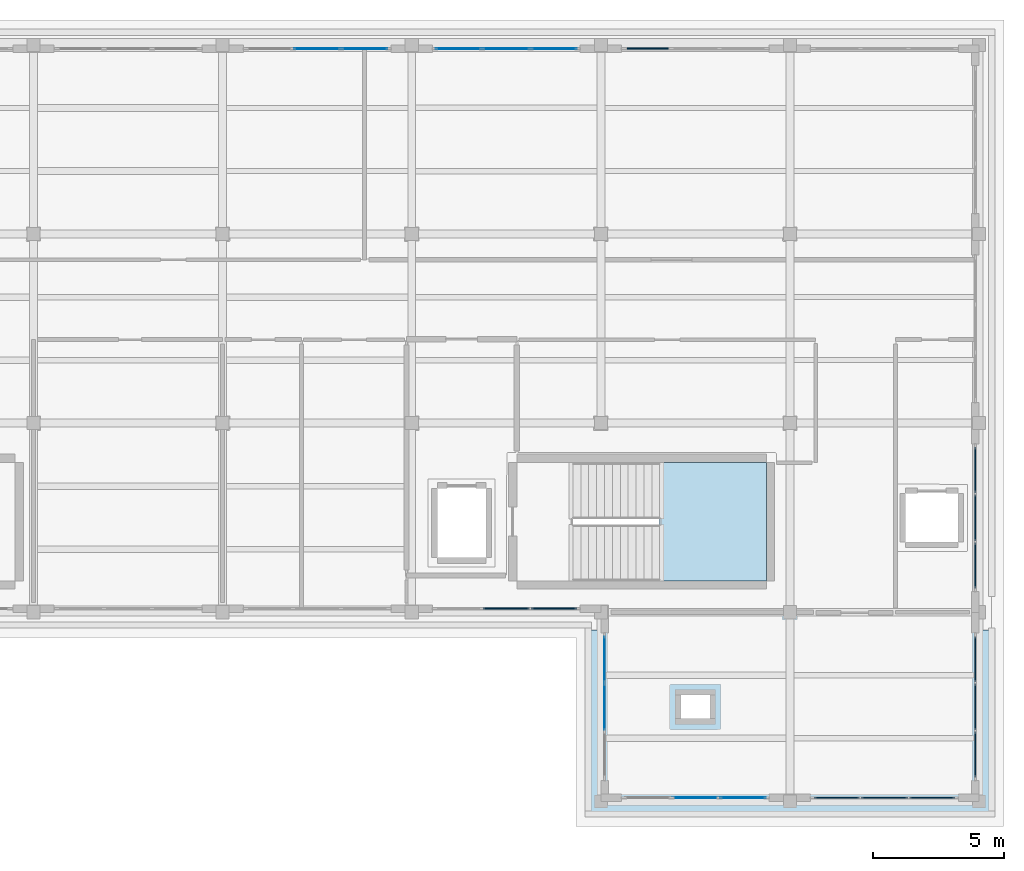
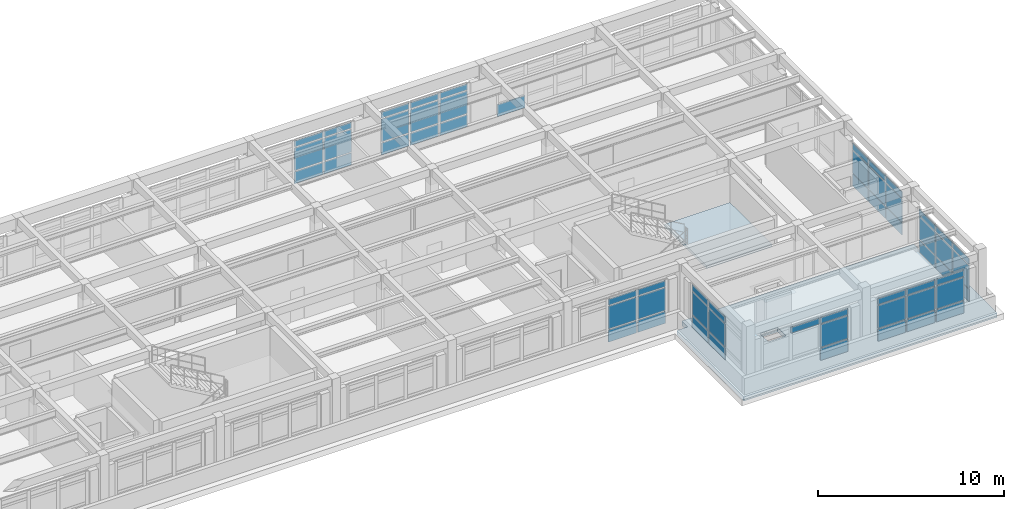
# One storey, part 12 of 18: 59 plates, 2 slabs, 10 elements without a shape of their own.
"""IFC4 building model written with IfcOpenShell, lengths in metres."""

from ifc_helpers import new_model, si_unit, direction, frame, origin, origin_2d, place, context, subcontext, project, spatial, polyline, rectangle, outline, extrude, material, layer, layer_set, type_object, element, aggregate, save


model = new_model("IFC4")

# Units and contexts
model_context = context("Model", 3, precision=1e-05, world=origin(), true_north=direction((0.0, 1.0)))
body_context = subcontext(model_context, "Body", "Model", "MODEL_VIEW")
ifc_project = project(units=[si_unit("LENGTHUNIT", "METRE"), si_unit("AREAUNIT", "SQUARE_METRE"), si_unit("VOLUMEUNIT", "CUBIC_METRE"), si_unit("PLANEANGLEUNIT", "RADIAN"), si_unit("MASSUNIT", "GRAM", prefix="KILO")], contexts=[model_context])

# Site, building, storey
site_placement = place(None, origin())
site = spatial("IfcSite", under=ifc_project, at=site_placement, CompositionType="ELEMENT")
building_placement = place(site_placement, origin())
building = spatial("IfcBuilding", under=site, at=building_placement, Name="Solenvale Faculty of Natural Sciences", CompositionType="ELEMENT")
storey_placement = place(building_placement, frame((0.0, 0.0, 43.800048828125)))
storey = spatial("IfcBuildingStorey", under=building, at=storey_placement, Name="L10", CompositionType="ELEMENT", Elevation=43.800048828125)

# Curtain wall, plates
ifc_material_1 = material(Name="Anodised bronze aluminium", Category="aluminium")
ifc_layer_1 = layer(ifc_material_1, 0.179931640625)
ifc_layer_set_1 = layer_set([ifc_layer_1], Name="Anodised bronze aluminium")
curtain_wall_type = type_object("IfcCurtainWallType", Name="CW-TWR-MOD", PredefinedType="USERDEFINED", material=ifc_layer_set_1)
curtain_wall_1_placement = place(storey_placement, origin())
curtain_wall_1 = element("IfcCurtainWall", 1, at=curtain_wall_1_placement, inside=storey, type_object=curtain_wall_type, Name="L10 Curtain Wall CW-L10-P1-E2-B3", ObjectType="UNITISED CURTAIN WALL", PredefinedType="USERDEFINED")
ifc_material_2 = material(Name="North-light skylight glass", Category="glass")
ifc_layer_2 = layer(ifc_material_2, 0.028076171875)
ifc_layer_set_2 = layer_set([ifc_layer_2], Name="North-light skylight glass")
plate_type_1 = type_object("IfcPlateType", Name="CWP-PNL-28", PredefinedType="CURTAIN_PANEL", material=ifc_layer_set_2)
plate_1_placement = place(storey_placement, frame((135.0146484375, 115.0576171875, 0.074951171875), z_axis=(0.0, 0.0, 1.0), x_axis=(-1.0, 0.0, 0.0)))
plate_1 = element("IfcPlate", 2, at=plate_1_placement, type_object=plate_type_1, Name="CW-04 panel 1.1", PredefinedType="CURTAIN_PANEL", context=body_context, shape_type="SweptSolid", body=[
    extrude(rectangle(XDim=1.720947265625, YDim=0.028076171875, at=origin_2d()), origin(), (0.0, 0.0, 1.0), 0.78759765625),
])
plate_2_placement = place(storey_placement, frame((135.0146484375, 115.0576171875, 0.9375), z_axis=(0.0, 0.0, 1.0), x_axis=(-1.0, 0.0, 0.0)))
plate_2 = element("IfcPlate", 3, at=plate_2_placement, type_object=plate_type_1, Name="CW-04 panel 1.2", PredefinedType="CURTAIN_PANEL", context=body_context, shape_type="SweptSolid", body=[
    extrude(rectangle(XDim=1.720947265625, YDim=0.028076171875, at=origin_2d()), origin(), (0.0, 0.0, 1.0), 1.485107421875),
])
plate_3_placement = place(storey_placement, frame((135.0146484375, 115.0576171875, 2.49755859375), z_axis=(0.0, 0.0, 1.0), x_axis=(-1.0, 0.0, 0.0)))
plate_3 = element("IfcPlate", 4, at=plate_3_placement, type_object=plate_type_1, Name="CW-04 panel 1.3", PredefinedType="CURTAIN_PANEL", context=body_context, shape_type="SweptSolid", body=[
    extrude(rectangle(XDim=1.720947265625, YDim=0.028076171875, at=origin_2d()), origin(), (0.0, 0.0, 1.0), 0.387451171875),
])
plate_4_placement = place(storey_placement, frame((133.199951171875, 115.0576171875, 0.074951171875), z_axis=(0.0, 0.0, 1.0), x_axis=(-1.0, 0.0, 0.0)))
plate_4 = element("IfcPlate", 5, at=plate_4_placement, type_object=plate_type_1, Name="CW-04 panel 2.1", PredefinedType="CURTAIN_PANEL", context=body_context, shape_type="SweptSolid", body=[
    extrude(rectangle(XDim=1.75830078125, YDim=0.028076171875, at=origin_2d()), origin(), (0.0, 0.0, 1.0), 0.78759765625),
])
plate_5_placement = place(storey_placement, frame((133.199951171875, 115.0576171875, 0.9375), z_axis=(0.0, 0.0, 1.0), x_axis=(-1.0, 0.0, 0.0)))
plate_5 = element("IfcPlate", 6, at=plate_5_placement, type_object=plate_type_1, Name="CW-04 panel 2.2", PredefinedType="CURTAIN_PANEL", context=body_context, shape_type="SweptSolid", body=[
    extrude(rectangle(XDim=1.75830078125, YDim=0.028076171875, at=origin_2d()), origin(), (0.0, 0.0, 1.0), 1.485107421875),
])
plate_6_placement = place(storey_placement, frame((133.199951171875, 115.0576171875, 2.49755859375), z_axis=(0.0, 0.0, 1.0), x_axis=(-1.0, 0.0, 0.0)))
plate_6 = element("IfcPlate", 7, at=plate_6_placement, type_object=plate_type_1, Name="CW-04 panel 2.3", PredefinedType="CURTAIN_PANEL", context=body_context, shape_type="SweptSolid", body=[
    extrude(rectangle(XDim=1.75830078125, YDim=0.028076171875, at=origin_2d()), origin(), (0.0, 0.0, 1.0), 0.387451171875),
])
plate_7_placement = place(storey_placement, frame((131.385498046875, 115.0576171875, 0.074951171875), z_axis=(0.0, 0.0, 1.0), x_axis=(-1.0, 0.0, 0.0)))
plate_7 = element("IfcPlate", 8, at=plate_7_placement, type_object=plate_type_1, Name="CW-04 panel 3.1", PredefinedType="CURTAIN_PANEL", context=body_context, shape_type="SweptSolid", body=[
    extrude(rectangle(XDim=1.720947265625, YDim=0.028076171875, at=origin_2d()), origin(), (0.0, 0.0, 1.0), 0.78759765625),
])
plate_8_placement = place(storey_placement, frame((131.385498046875, 115.0576171875, 0.9375), z_axis=(0.0, 0.0, 1.0), x_axis=(-1.0, 0.0, 0.0)))
plate_8 = element("IfcPlate", 9, at=plate_8_placement, type_object=plate_type_1, Name="CW-04 panel 3.2", PredefinedType="CURTAIN_PANEL", context=body_context, shape_type="SweptSolid", body=[
    extrude(rectangle(XDim=1.720947265625, YDim=0.028076171875, at=origin_2d()), origin(), (0.0, 0.0, 1.0), 1.485107421875),
])
plate_9_placement = place(storey_placement, frame((131.385498046875, 115.0576171875, 2.49755859375), z_axis=(0.0, 0.0, 1.0), x_axis=(-1.0, 0.0, 0.0)))
plate_9 = element("IfcPlate", 10, at=plate_9_placement, type_object=plate_type_1, Name="CW-04 panel 3.3", PredefinedType="CURTAIN_PANEL", context=body_context, shape_type="SweptSolid", body=[
    extrude(rectangle(XDim=1.720947265625, YDim=0.028076171875, at=origin_2d()), origin(), (0.0, 0.0, 1.0), 0.387451171875),
])
aggregate(curtain_wall_1, [plate_1, plate_2, plate_3, plate_4, plate_5, plate_6, plate_7, plate_8, plate_9])

curtain_wall_2_placement = place(storey_placement, origin())
curtain_wall_2 = element("IfcCurtainWall", 11, at=curtain_wall_2_placement, inside=storey, type_object=curtain_wall_type, Name="L10 Curtain Wall CW-L10-P1-E2-B4", ObjectType="UNITISED CURTAIN WALL", PredefinedType="USERDEFINED")
ifc_material_3 = material(Name="Triple low-E insulated glass", Category="glass")
ifc_layer_3 = layer(ifc_material_3, 0.031982421875)
ifc_layer_set_3 = layer_set([ifc_layer_3], Name="Triple low-E insulated glass")
plate_type_2 = type_object("IfcPlateType", Name="CWP-PNL-32", PredefinedType="CURTAIN_PANEL", material=ifc_layer_set_3)
plate_10_placement = place(storey_placement, frame((127.814697265625, 115.0576171875, 0.074951171875), z_axis=(0.0, 0.0, 1.0), x_axis=(-1.0, 0.0, 0.0)))
plate_10 = element("IfcPlate", 12, at=plate_10_placement, type_object=plate_type_2, Name="CW-04 panel 1.1", PredefinedType="CURTAIN_PANEL", context=body_context, shape_type="SweptSolid", body=[
    extrude(rectangle(XDim=1.720947265625, YDim=0.031982421875, at=origin_2d()), origin(), (0.0, 0.0, 1.0), 0.78759765625),
])
plate_11_placement = place(storey_placement, frame((127.814697265625, 115.0576171875, 0.9375), z_axis=(0.0, 0.0, 1.0), x_axis=(-1.0, 0.0, 0.0)))
plate_11 = element("IfcPlate", 13, at=plate_11_placement, type_object=plate_type_2, Name="CW-04 panel 1.2", PredefinedType="CURTAIN_PANEL", context=body_context, shape_type="SweptSolid", body=[
    extrude(rectangle(XDim=1.720947265625, YDim=0.031982421875, at=origin_2d()), origin(), (0.0, 0.0, 1.0), 1.485107421875),
])
plate_12_placement = place(storey_placement, frame((127.814697265625, 115.0576171875, 2.49755859375), z_axis=(0.0, 0.0, 1.0), x_axis=(-1.0, 0.0, 0.0)))
plate_12 = element("IfcPlate", 14, at=plate_12_placement, type_object=plate_type_2, Name="CW-04 panel 1.3", PredefinedType="CURTAIN_PANEL", context=body_context, shape_type="SweptSolid", body=[
    extrude(rectangle(XDim=1.720947265625, YDim=0.031982421875, at=origin_2d()), origin(), (0.0, 0.0, 1.0), 0.387451171875),
])
plate_13_placement = place(storey_placement, frame((126.0, 115.0576171875, 0.074951171875), z_axis=(0.0, 0.0, 1.0), x_axis=(-1.0, 0.0, 0.0)))
plate_13 = element("IfcPlate", 15, at=plate_13_placement, type_object=plate_type_2, Name="CW-04 panel 2.1", PredefinedType="CURTAIN_PANEL", context=body_context, shape_type="SweptSolid", body=[
    extrude(rectangle(XDim=1.75830078125, YDim=0.031982421875, at=origin_2d()), origin(), (0.0, 0.0, 1.0), 0.78759765625),
])
plate_14_placement = place(storey_placement, frame((126.0, 115.0576171875, 0.9375), z_axis=(0.0, 0.0, 1.0), x_axis=(-1.0, 0.0, 0.0)))
plate_14 = element("IfcPlate", 16, at=plate_14_placement, type_object=plate_type_2, Name="CW-04 panel 2.2", PredefinedType="CURTAIN_PANEL", context=body_context, shape_type="SweptSolid", body=[
    extrude(rectangle(XDim=1.75830078125, YDim=0.031982421875, at=origin_2d()), origin(), (0.0, 0.0, 1.0), 1.485107421875),
])
plate_15_placement = place(storey_placement, frame((126.0, 115.0576171875, 2.49755859375), z_axis=(0.0, 0.0, 1.0), x_axis=(-1.0, 0.0, 0.0)))
plate_15 = element("IfcPlate", 17, at=plate_15_placement, type_object=plate_type_2, Name="CW-04 panel 2.3", PredefinedType="CURTAIN_PANEL", context=body_context, shape_type="SweptSolid", body=[
    extrude(rectangle(XDim=1.75830078125, YDim=0.031982421875, at=origin_2d()), origin(), (0.0, 0.0, 1.0), 0.387451171875),
])
aggregate(curtain_wall_2, [plate_10, plate_11, plate_12, plate_13, plate_14, plate_15])

curtain_wall_3_placement = place(storey_placement, origin())
curtain_wall_3 = element("IfcCurtainWall", 18, at=curtain_wall_3_placement, inside=storey, type_object=curtain_wall_type, Name="L10 Curtain Wall CW-L10-P1-E5-B1", ObjectType="UNITISED CURTAIN WALL", PredefinedType="USERDEFINED")
plate_16_placement = place(storey_placement, frame((136.9423828125, 91.814697265625, 0.074951171875), z_axis=(0.0, 0.0, 1.0), x_axis=(0.0, -1.0, 0.0)))
plate_16 = element("IfcPlate", 19, at=plate_16_placement, type_object=plate_type_2, Name="CW-04 panel 1.1", PredefinedType="CURTAIN_PANEL", context=body_context, shape_type="SweptSolid", body=[
    extrude(rectangle(XDim=1.720947265625, YDim=0.031982421875, at=origin_2d()), origin(), (0.0, 0.0, 1.0), 0.78759765625),
])
plate_17_placement = place(storey_placement, frame((136.9423828125, 91.814697265625, 0.9375), z_axis=(0.0, 0.0, 1.0), x_axis=(0.0, -1.0, 0.0)))
plate_17 = element("IfcPlate", 20, at=plate_17_placement, type_object=plate_type_2, Name="CW-04 panel 1.2", PredefinedType="CURTAIN_PANEL", context=body_context, shape_type="SweptSolid", body=[
    extrude(rectangle(XDim=1.720947265625, YDim=0.031982421875, at=origin_2d()), origin(), (0.0, 0.0, 1.0), 1.485107421875),
])
plate_18_placement = place(storey_placement, frame((136.9423828125, 91.814697265625, 2.49755859375), z_axis=(0.0, 0.0, 1.0), x_axis=(0.0, -1.0, 0.0)))
plate_18 = element("IfcPlate", 21, at=plate_18_placement, type_object=plate_type_2, Name="CW-04 panel 1.3", PredefinedType="CURTAIN_PANEL", context=body_context, shape_type="SweptSolid", body=[
    extrude(rectangle(XDim=1.720947265625, YDim=0.031982421875, at=origin_2d()), origin(), (0.0, 0.0, 1.0), 0.387451171875),
])
plate_19_placement = place(storey_placement, frame((136.9423828125, 90.0, 0.074951171875), z_axis=(0.0, 0.0, 1.0), x_axis=(0.0, -1.0, 0.0)))
plate_19 = element("IfcPlate", 22, at=plate_19_placement, type_object=plate_type_2, Name="CW-04 panel 2.1", PredefinedType="CURTAIN_PANEL", context=body_context, shape_type="SweptSolid", body=[
    extrude(rectangle(XDim=1.75830078125, YDim=0.031982421875, at=origin_2d()), origin(), (0.0, 0.0, 1.0), 0.78759765625),
])
plate_20_placement = place(storey_placement, frame((136.9423828125, 90.0, 0.9375), z_axis=(0.0, 0.0, 1.0), x_axis=(0.0, -1.0, 0.0)))
plate_20 = element("IfcPlate", 23, at=plate_20_placement, type_object=plate_type_2, Name="CW-04 panel 2.2", PredefinedType="CURTAIN_PANEL", context=body_context, shape_type="SweptSolid", body=[
    extrude(rectangle(XDim=1.75830078125, YDim=0.031982421875, at=origin_2d()), origin(), (0.0, 0.0, 1.0), 1.485107421875),
])
plate_21_placement = place(storey_placement, frame((136.9423828125, 90.0, 2.49755859375), z_axis=(0.0, 0.0, 1.0), x_axis=(0.0, -1.0, 0.0)))
plate_21 = element("IfcPlate", 24, at=plate_21_placement, type_object=plate_type_2, Name="CW-04 panel 2.3", PredefinedType="CURTAIN_PANEL", context=body_context, shape_type="SweptSolid", body=[
    extrude(rectangle(XDim=1.75830078125, YDim=0.031982421875, at=origin_2d()), origin(), (0.0, 0.0, 1.0), 0.387451171875),
])
aggregate(curtain_wall_3, [plate_16, plate_17, plate_18, plate_19, plate_20, plate_21])

curtain_wall_4_placement = place(storey_placement, origin())
curtain_wall_4 = element("IfcCurtainWall", 25, at=curtain_wall_4_placement, inside=storey, type_object=curtain_wall_type, Name="L10 Curtain Wall CW-L10-P1-E6-B1", ObjectType="UNITISED CURTAIN WALL", PredefinedType="USERDEFINED")
ifc_layer_4 = layer(ifc_material_3, 0.035888671875)
ifc_layer_set_4 = layer_set([ifc_layer_4], Name="Triple low-E insulated glass")
plate_type_3 = type_object("IfcPlateType", Name="CWP-PNL-36", PredefinedType="CURTAIN_PANEL", material=ifc_layer_set_4)
plate_22_placement = place(storey_placement, frame((140.39990234375, 86.54248046875, 2.49755859375), z_axis=(0.0, 0.0, 1.0), x_axis=(1.0, 0.0, 0.0)))
plate_22 = element("IfcPlate", 26, at=plate_22_placement, type_object=plate_type_3, Name="CW-04 panel 2.3", PredefinedType="CURTAIN_PANEL", context=body_context, shape_type="SweptSolid", body=[
    extrude(rectangle(XDim=1.75830078125, YDim=0.035888671875, at=origin_2d()), origin(), (0.0, 0.0, 1.0), 0.387451171875),
])
plate_23_placement = place(storey_placement, frame((142.214599609375, 86.54248046875, 0.074951171875), z_axis=(0.0, 0.0, 1.0), x_axis=(1.0, 0.0, 0.0)))
plate_23 = element("IfcPlate", 27, at=plate_23_placement, type_object=plate_type_3, Name="CW-04 panel 3.1", PredefinedType="CURTAIN_PANEL", context=body_context, shape_type="SweptSolid", body=[
    extrude(rectangle(XDim=1.720947265625, YDim=0.035888671875, at=origin_2d()), origin(), (0.0, 0.0, 1.0), 0.78759765625),
])
plate_24_placement = place(storey_placement, frame((142.214599609375, 86.54248046875, 0.9375), z_axis=(0.0, 0.0, 1.0), x_axis=(1.0, 0.0, 0.0)))
plate_24 = element("IfcPlate", 28, at=plate_24_placement, type_object=plate_type_3, Name="CW-04 panel 3.2", PredefinedType="CURTAIN_PANEL", context=body_context, shape_type="SweptSolid", body=[
    extrude(rectangle(XDim=1.720947265625, YDim=0.035888671875, at=origin_2d()), origin(), (0.0, 0.0, 1.0), 1.485107421875),
])
plate_25_placement = place(storey_placement, frame((142.214599609375, 86.54248046875, 2.49755859375), z_axis=(0.0, 0.0, 1.0), x_axis=(1.0, 0.0, 0.0)))
plate_25 = element("IfcPlate", 29, at=plate_25_placement, type_object=plate_type_3, Name="CW-04 panel 3.3", PredefinedType="CURTAIN_PANEL", context=body_context, shape_type="SweptSolid", body=[
    extrude(rectangle(XDim=1.720947265625, YDim=0.035888671875, at=origin_2d()), origin(), (0.0, 0.0, 1.0), 0.387451171875),
])
aggregate(curtain_wall_4, [plate_22, plate_23, plate_24, plate_25])

curtain_wall_5_placement = place(storey_placement, origin())
curtain_wall_5 = element("IfcCurtainWall", 30, at=curtain_wall_5_placement, inside=storey, type_object=curtain_wall_type, Name="L10 Curtain Wall CW-L10-P1-E6-B2", ObjectType="UNITISED CURTAIN WALL", PredefinedType="USERDEFINED")
ifc_layer_5 = layer(ifc_material_3, 0.0400390625)
ifc_layer_set_5 = layer_set([ifc_layer_5], Name="Triple low-E insulated glass")
plate_type_4 = type_object("IfcPlateType", Name="CWP-PNL-40", PredefinedType="CURTAIN_PANEL", material=ifc_layer_set_5)
plate_26_placement = place(storey_placement, frame((145.785400390625, 86.54248046875, 0.074951171875), z_axis=(0.0, 0.0, 1.0), x_axis=(1.0, 0.0, 0.0)))
plate_26 = element("IfcPlate", 31, at=plate_26_placement, type_object=plate_type_4, Name="CW-04 panel 1.1", PredefinedType="CURTAIN_PANEL", context=body_context, shape_type="SweptSolid", body=[
    extrude(rectangle(XDim=1.720947265625, YDim=0.0400390625, at=origin_2d()), origin(), (0.0, 0.0, 1.0), 0.78759765625),
])
plate_27_placement = place(storey_placement, frame((145.785400390625, 86.54248046875, 0.9375), z_axis=(0.0, 0.0, 1.0), x_axis=(1.0, 0.0, 0.0)))
plate_27 = element("IfcPlate", 32, at=plate_27_placement, type_object=plate_type_4, Name="CW-04 panel 1.2", PredefinedType="CURTAIN_PANEL", context=body_context, shape_type="SweptSolid", body=[
    extrude(rectangle(XDim=1.720947265625, YDim=0.0400390625, at=origin_2d()), origin(), (0.0, 0.0, 1.0), 1.485107421875),
])
plate_28_placement = place(storey_placement, frame((145.785400390625, 86.54248046875, 2.49755859375), z_axis=(0.0, 0.0, 1.0), x_axis=(1.0, 0.0, 0.0)))
plate_28 = element("IfcPlate", 33, at=plate_28_placement, type_object=plate_type_4, Name="CW-04 panel 1.3", PredefinedType="CURTAIN_PANEL", context=body_context, shape_type="SweptSolid", body=[
    extrude(rectangle(XDim=1.720947265625, YDim=0.0400390625, at=origin_2d()), origin(), (0.0, 0.0, 1.0), 0.387451171875),
])
plate_29_placement = place(storey_placement, frame((147.60009765625, 86.54248046875, 0.074951171875), z_axis=(0.0, 0.0, 1.0), x_axis=(1.0, 0.0, 0.0)))
plate_29 = element("IfcPlate", 34, at=plate_29_placement, type_object=plate_type_4, Name="CW-04 panel 2.1", PredefinedType="CURTAIN_PANEL", context=body_context, shape_type="SweptSolid", body=[
    extrude(rectangle(XDim=1.75830078125, YDim=0.0400390625, at=origin_2d()), origin(), (0.0, 0.0, 1.0), 0.78759765625),
])
plate_30_placement = place(storey_placement, frame((147.60009765625, 86.54248046875, 0.9375), z_axis=(0.0, 0.0, 1.0), x_axis=(1.0, 0.0, 0.0)))
plate_30 = element("IfcPlate", 35, at=plate_30_placement, type_object=plate_type_4, Name="CW-04 panel 2.2", PredefinedType="CURTAIN_PANEL", context=body_context, shape_type="SweptSolid", body=[
    extrude(rectangle(XDim=1.75830078125, YDim=0.0400390625, at=origin_2d()), origin(), (0.0, 0.0, 1.0), 1.485107421875),
])
plate_31_placement = place(storey_placement, frame((147.60009765625, 86.54248046875, 2.49755859375), z_axis=(0.0, 0.0, 1.0), x_axis=(1.0, 0.0, 0.0)))
plate_31 = element("IfcPlate", 36, at=plate_31_placement, type_object=plate_type_4, Name="CW-04 panel 2.3", PredefinedType="CURTAIN_PANEL", context=body_context, shape_type="SweptSolid", body=[
    extrude(rectangle(XDim=1.75830078125, YDim=0.0400390625, at=origin_2d()), origin(), (0.0, 0.0, 1.0), 0.387451171875),
])
plate_32_placement = place(storey_placement, frame((149.41455078125, 86.54248046875, 0.074951171875), z_axis=(0.0, 0.0, 1.0), x_axis=(1.0, 0.0, 0.0)))
plate_32 = element("IfcPlate", 37, at=plate_32_placement, type_object=plate_type_4, Name="CW-04 panel 3.1", PredefinedType="CURTAIN_PANEL", context=body_context, shape_type="SweptSolid", body=[
    extrude(rectangle(XDim=1.720947265625, YDim=0.0400390625, at=origin_2d()), origin(), (0.0, 0.0, 1.0), 0.78759765625),
])
plate_33_placement = place(storey_placement, frame((149.41455078125, 86.54248046875, 0.9375), z_axis=(0.0, 0.0, 1.0), x_axis=(1.0, 0.0, 0.0)))
plate_33 = element("IfcPlate", 38, at=plate_33_placement, type_object=plate_type_4, Name="CW-04 panel 3.2", PredefinedType="CURTAIN_PANEL", context=body_context, shape_type="SweptSolid", body=[
    extrude(rectangle(XDim=1.720947265625, YDim=0.0400390625, at=origin_2d()), origin(), (0.0, 0.0, 1.0), 1.485107421875),
])
plate_34_placement = place(storey_placement, frame((149.41455078125, 86.54248046875, 2.49755859375), z_axis=(0.0, 0.0, 1.0), x_axis=(1.0, 0.0, 0.0)))
plate_34 = element("IfcPlate", 39, at=plate_34_placement, type_object=plate_type_4, Name="CW-04 panel 3.3", PredefinedType="CURTAIN_PANEL", context=body_context, shape_type="SweptSolid", body=[
    extrude(rectangle(XDim=1.720947265625, YDim=0.0400390625, at=origin_2d()), origin(), (0.0, 0.0, 1.0), 0.387451171875),
])
aggregate(curtain_wall_5, [plate_26, plate_27, plate_28, plate_29, plate_30, plate_31, plate_32, plate_33, plate_34])

curtain_wall_6_placement = place(storey_placement, origin())
curtain_wall_6 = element("IfcCurtainWall", 40, at=curtain_wall_6_placement, inside=storey, type_object=curtain_wall_type, Name="L10 Curtain Wall CW-L10-P1-E7-B1", ObjectType="UNITISED CURTAIN WALL", PredefinedType="USERDEFINED")
plate_35_placement = place(storey_placement, frame((151.0576171875, 88.185302734375, 0.074951171875), z_axis=(0.0, 0.0, 1.0), x_axis=(0.0, 1.0, 0.0)))
plate_35 = element("IfcPlate", 41, at=plate_35_placement, type_object=plate_type_4, Name="CW-04 panel 1.1", PredefinedType="CURTAIN_PANEL", context=body_context, shape_type="SweptSolid", body=[
    extrude(rectangle(XDim=1.720947265625, YDim=0.0400390625, at=origin_2d()), origin(), (0.0, 0.0, 1.0), 0.78759765625),
])
plate_36_placement = place(storey_placement, frame((151.0576171875, 88.185302734375, 0.9375), z_axis=(0.0, 0.0, 1.0), x_axis=(0.0, 1.0, 0.0)))
plate_36 = element("IfcPlate", 42, at=plate_36_placement, type_object=plate_type_4, Name="CW-04 panel 1.2", PredefinedType="CURTAIN_PANEL", context=body_context, shape_type="SweptSolid", body=[
    extrude(rectangle(XDim=1.720947265625, YDim=0.0400390625, at=origin_2d()), origin(), (0.0, 0.0, 1.0), 1.485107421875),
])
plate_37_placement = place(storey_placement, frame((151.0576171875, 88.185302734375, 2.49755859375), z_axis=(0.0, 0.0, 1.0), x_axis=(0.0, 1.0, 0.0)))
plate_37 = element("IfcPlate", 43, at=plate_37_placement, type_object=plate_type_4, Name="CW-04 panel 1.3", PredefinedType="CURTAIN_PANEL", context=body_context, shape_type="SweptSolid", body=[
    extrude(rectangle(XDim=1.720947265625, YDim=0.0400390625, at=origin_2d()), origin(), (0.0, 0.0, 1.0), 0.387451171875),
])
plate_38_placement = place(storey_placement, frame((151.0576171875, 90.0, 0.074951171875), z_axis=(0.0, 0.0, 1.0), x_axis=(0.0, 1.0, 0.0)))
plate_38 = element("IfcPlate", 44, at=plate_38_placement, type_object=plate_type_4, Name="CW-04 panel 2.1", PredefinedType="CURTAIN_PANEL", context=body_context, shape_type="SweptSolid", body=[
    extrude(rectangle(XDim=1.75830078125, YDim=0.0400390625, at=origin_2d()), origin(), (0.0, 0.0, 1.0), 0.78759765625),
])
plate_39_placement = place(storey_placement, frame((151.0576171875, 90.0, 0.9375), z_axis=(0.0, 0.0, 1.0), x_axis=(0.0, 1.0, 0.0)))
plate_39 = element("IfcPlate", 45, at=plate_39_placement, type_object=plate_type_4, Name="CW-04 panel 2.2", PredefinedType="CURTAIN_PANEL", context=body_context, shape_type="SweptSolid", body=[
    extrude(rectangle(XDim=1.75830078125, YDim=0.0400390625, at=origin_2d()), origin(), (0.0, 0.0, 1.0), 1.485107421875),
])
plate_40_placement = place(storey_placement, frame((151.0576171875, 90.0, 2.49755859375), z_axis=(0.0, 0.0, 1.0), x_axis=(0.0, 1.0, 0.0)))
plate_40 = element("IfcPlate", 46, at=plate_40_placement, type_object=plate_type_4, Name="CW-04 panel 2.3", PredefinedType="CURTAIN_PANEL", context=body_context, shape_type="SweptSolid", body=[
    extrude(rectangle(XDim=1.75830078125, YDim=0.0400390625, at=origin_2d()), origin(), (0.0, 0.0, 1.0), 0.387451171875),
])
plate_41_placement = place(storey_placement, frame((151.0576171875, 91.814697265625, 0.074951171875), z_axis=(0.0, 0.0, 1.0), x_axis=(0.0, 1.0, 0.0)))
plate_41 = element("IfcPlate", 47, at=plate_41_placement, type_object=plate_type_4, Name="CW-04 panel 3.1", PredefinedType="CURTAIN_PANEL", context=body_context, shape_type="SweptSolid", body=[
    extrude(rectangle(XDim=1.720947265625, YDim=0.0400390625, at=origin_2d()), origin(), (0.0, 0.0, 1.0), 0.78759765625),
])
plate_42_placement = place(storey_placement, frame((151.0576171875, 91.814697265625, 0.9375), z_axis=(0.0, 0.0, 1.0), x_axis=(0.0, 1.0, 0.0)))
plate_42 = element("IfcPlate", 48, at=plate_42_placement, type_object=plate_type_4, Name="CW-04 panel 3.2", PredefinedType="CURTAIN_PANEL", context=body_context, shape_type="SweptSolid", body=[
    extrude(rectangle(XDim=1.720947265625, YDim=0.0400390625, at=origin_2d()), origin(), (0.0, 0.0, 1.0), 1.485107421875),
])
plate_43_placement = place(storey_placement, frame((151.0576171875, 91.814697265625, 2.49755859375), z_axis=(0.0, 0.0, 1.0), x_axis=(0.0, 1.0, 0.0)))
plate_43 = element("IfcPlate", 49, at=plate_43_placement, type_object=plate_type_4, Name="CW-04 panel 3.3", PredefinedType="CURTAIN_PANEL", context=body_context, shape_type="SweptSolid", body=[
    extrude(rectangle(XDim=1.720947265625, YDim=0.0400390625, at=origin_2d()), origin(), (0.0, 0.0, 1.0), 0.387451171875),
])
aggregate(curtain_wall_6, [plate_35, plate_36, plate_37, plate_38, plate_39, plate_40, plate_41, plate_42, plate_43])

curtain_wall_7_placement = place(storey_placement, origin())
curtain_wall_7 = element("IfcCurtainWall", 50, at=curtain_wall_7_placement, inside=storey, type_object=curtain_wall_type, Name="L10 Curtain Wall CW-L10-P1-E1-B1", ObjectType="UNITISED CURTAIN WALL", PredefinedType="USERDEFINED")
ifc_layer_6 = layer(ifc_material_1, 0.048095703125)
ifc_layer_set_6 = layer_set([ifc_layer_6], Name="Anodised bronze aluminium")
plate_type_5 = type_object("IfcPlateType", Name="CWP-PNL-48", PredefinedType="CURTAIN_PANEL", material=ifc_layer_set_6)
plate_44_placement = place(storey_placement, frame((151.0576171875, 95.385498046875, 0.074951171875), z_axis=(0.0, 0.0, 1.0), x_axis=(0.0, 1.0, 0.0)))
plate_44 = element("IfcPlate", 51, at=plate_44_placement, type_object=plate_type_5, Name="CW-04 panel 1.1", PredefinedType="CURTAIN_PANEL", context=body_context, shape_type="SweptSolid", body=[
    extrude(rectangle(XDim=1.720947265625, YDim=0.048095703125, at=origin_2d()), origin(), (0.0, 0.0, 1.0), 0.78759765625),
])
plate_45_placement = place(storey_placement, frame((151.0576171875, 95.385498046875, 0.9375), z_axis=(0.0, 0.0, 1.0), x_axis=(0.0, 1.0, 0.0)))
plate_45 = element("IfcPlate", 52, at=plate_45_placement, type_object=plate_type_5, Name="CW-04 panel 1.2", PredefinedType="CURTAIN_PANEL", context=body_context, shape_type="SweptSolid", body=[
    extrude(rectangle(XDim=1.720947265625, YDim=0.048095703125, at=origin_2d()), origin(), (0.0, 0.0, 1.0), 1.485107421875),
])
plate_46_placement = place(storey_placement, frame((151.0576171875, 95.385498046875, 2.49755859375), z_axis=(0.0, 0.0, 1.0), x_axis=(0.0, 1.0, 0.0)))
plate_46 = element("IfcPlate", 53, at=plate_46_placement, type_object=plate_type_5, Name="CW-04 panel 1.3", PredefinedType="CURTAIN_PANEL", context=body_context, shape_type="SweptSolid", body=[
    extrude(rectangle(XDim=1.720947265625, YDim=0.048095703125, at=origin_2d()), origin(), (0.0, 0.0, 1.0), 0.387451171875),
])
plate_47_placement = place(storey_placement, frame((151.0576171875, 97.199951171875, 0.074951171875), z_axis=(0.0, 0.0, 1.0), x_axis=(0.0, 1.0, 0.0)))
plate_47 = element("IfcPlate", 54, at=plate_47_placement, type_object=plate_type_5, Name="CW-04 panel 2.1", PredefinedType="CURTAIN_PANEL", context=body_context, shape_type="SweptSolid", body=[
    extrude(rectangle(XDim=1.75830078125, YDim=0.048095703125, at=origin_2d()), origin(), (0.0, 0.0, 1.0), 0.78759765625),
])
plate_48_placement = place(storey_placement, frame((151.0576171875, 97.199951171875, 0.9375), z_axis=(0.0, 0.0, 1.0), x_axis=(0.0, 1.0, 0.0)))
plate_48 = element("IfcPlate", 55, at=plate_48_placement, type_object=plate_type_5, Name="CW-04 panel 2.2", PredefinedType="CURTAIN_PANEL", context=body_context, shape_type="SweptSolid", body=[
    extrude(rectangle(XDim=1.75830078125, YDim=0.048095703125, at=origin_2d()), origin(), (0.0, 0.0, 1.0), 1.485107421875),
])
plate_49_placement = place(storey_placement, frame((151.0576171875, 97.199951171875, 2.49755859375), z_axis=(0.0, 0.0, 1.0), x_axis=(0.0, 1.0, 0.0)))
plate_49 = element("IfcPlate", 56, at=plate_49_placement, type_object=plate_type_5, Name="CW-04 panel 2.3", PredefinedType="CURTAIN_PANEL", context=body_context, shape_type="SweptSolid", body=[
    extrude(rectangle(XDim=1.75830078125, YDim=0.048095703125, at=origin_2d()), origin(), (0.0, 0.0, 1.0), 0.387451171875),
])
plate_50_placement = place(storey_placement, frame((151.0576171875, 99.0146484375, 0.074951171875), z_axis=(0.0, 0.0, 1.0), x_axis=(0.0, 1.0, 0.0)))
plate_50 = element("IfcPlate", 57, at=plate_50_placement, type_object=plate_type_5, Name="CW-04 panel 3.1", PredefinedType="CURTAIN_PANEL", context=body_context, shape_type="SweptSolid", body=[
    extrude(rectangle(XDim=1.720947265625, YDim=0.048095703125, at=origin_2d()), origin(), (0.0, 0.0, 1.0), 0.78759765625),
])
plate_51_placement = place(storey_placement, frame((151.0576171875, 99.0146484375, 0.9375), z_axis=(0.0, 0.0, 1.0), x_axis=(0.0, 1.0, 0.0)))
plate_51 = element("IfcPlate", 58, at=plate_51_placement, type_object=plate_type_5, Name="CW-04 panel 3.2", PredefinedType="CURTAIN_PANEL", context=body_context, shape_type="SweptSolid", body=[
    extrude(rectangle(XDim=1.720947265625, YDim=0.048095703125, at=origin_2d()), origin(), (0.0, 0.0, 1.0), 1.485107421875),
])
plate_52_placement = place(storey_placement, frame((151.0576171875, 99.0146484375, 2.49755859375), z_axis=(0.0, 0.0, 1.0), x_axis=(0.0, 1.0, 0.0)))
plate_52 = element("IfcPlate", 59, at=plate_52_placement, type_object=plate_type_5, Name="CW-04 panel 3.3", PredefinedType="CURTAIN_PANEL", context=body_context, shape_type="SweptSolid", body=[
    extrude(rectangle(XDim=1.720947265625, YDim=0.048095703125, at=origin_2d()), origin(), (0.0, 0.0, 1.0), 0.387451171875),
])
aggregate(curtain_wall_7, [plate_44, plate_45, plate_46, plate_47, plate_48, plate_49, plate_50, plate_51, plate_52])

curtain_wall_8_placement = place(storey_placement, origin())
curtain_wall_8 = element("IfcCurtainWall", 60, at=curtain_wall_8_placement, inside=storey, type_object=curtain_wall_type, Name="L10 Curtain Wall CW-L10-P1-E4-B6", ObjectType="UNITISED CURTAIN WALL", PredefinedType="USERDEFINED")
plate_53_placement = place(storey_placement, frame((133.199951171875, 93.742431640625, 0.074951171875), z_axis=(0.0, 0.0, 1.0), x_axis=(1.0, 0.0, 0.0)))
plate_53 = element("IfcPlate", 61, at=plate_53_placement, type_object=plate_type_5, Name="CW-04 panel 2.1", PredefinedType="CURTAIN_PANEL", context=body_context, shape_type="SweptSolid", body=[
    extrude(rectangle(XDim=1.75830078125, YDim=0.048095703125, at=origin_2d()), origin(), (0.0, 0.0, 1.0), 0.78759765625),
])
plate_54_placement = place(storey_placement, frame((133.199951171875, 93.742431640625, 0.9375), z_axis=(0.0, 0.0, 1.0), x_axis=(1.0, 0.0, 0.0)))
plate_54 = element("IfcPlate", 62, at=plate_54_placement, type_object=plate_type_5, Name="CW-04 panel 2.2", PredefinedType="CURTAIN_PANEL", context=body_context, shape_type="SweptSolid", body=[
    extrude(rectangle(XDim=1.75830078125, YDim=0.048095703125, at=origin_2d()), origin(), (0.0, 0.0, 1.0), 1.485107421875),
])
plate_55_placement = place(storey_placement, frame((133.199951171875, 93.742431640625, 2.49755859375), z_axis=(0.0, 0.0, 1.0), x_axis=(1.0, 0.0, 0.0)))
plate_55 = element("IfcPlate", 63, at=plate_55_placement, type_object=plate_type_5, Name="CW-04 panel 2.3", PredefinedType="CURTAIN_PANEL", context=body_context, shape_type="SweptSolid", body=[
    extrude(rectangle(XDim=1.75830078125, YDim=0.048095703125, at=origin_2d()), origin(), (0.0, 0.0, 1.0), 0.387451171875),
])
plate_56_placement = place(storey_placement, frame((135.0146484375, 93.742431640625, 0.074951171875), z_axis=(0.0, 0.0, 1.0), x_axis=(1.0, 0.0, 0.0)))
plate_56 = element("IfcPlate", 64, at=plate_56_placement, type_object=plate_type_5, Name="CW-04 panel 3.1", PredefinedType="CURTAIN_PANEL", context=body_context, shape_type="SweptSolid", body=[
    extrude(rectangle(XDim=1.720947265625, YDim=0.048095703125, at=origin_2d()), origin(), (0.0, 0.0, 1.0), 0.78759765625),
])
plate_57_placement = place(storey_placement, frame((135.0146484375, 93.742431640625, 0.9375), z_axis=(0.0, 0.0, 1.0), x_axis=(1.0, 0.0, 0.0)))
plate_57 = element("IfcPlate", 65, at=plate_57_placement, type_object=plate_type_5, Name="CW-04 panel 3.2", PredefinedType="CURTAIN_PANEL", context=body_context, shape_type="SweptSolid", body=[
    extrude(rectangle(XDim=1.720947265625, YDim=0.048095703125, at=origin_2d()), origin(), (0.0, 0.0, 1.0), 1.485107421875),
])
plate_58_placement = place(storey_placement, frame((135.0146484375, 93.742431640625, 2.49755859375), z_axis=(0.0, 0.0, 1.0), x_axis=(1.0, 0.0, 0.0)))
plate_58 = element("IfcPlate", 66, at=plate_58_placement, type_object=plate_type_5, Name="CW-04 panel 3.3", PredefinedType="CURTAIN_PANEL", context=body_context, shape_type="SweptSolid", body=[
    extrude(rectangle(XDim=1.720947265625, YDim=0.048095703125, at=origin_2d()), origin(), (0.0, 0.0, 1.0), 0.387451171875),
])
aggregate(curtain_wall_8, [plate_53, plate_54, plate_55, plate_56, plate_57, plate_58])

# Curtain wall, plate
curtain_wall_9_placement = place(storey_placement, origin())
curtain_wall_9 = element("IfcCurtainWall", 67, at=curtain_wall_9_placement, inside=storey, type_object=curtain_wall_type, Name="L10 Curtain Wall CW-L10-P1-E2-B2", ObjectType="UNITISED CURTAIN WALL", PredefinedType="USERDEFINED")
ifc_layer_7 = layer(ifc_material_1, 0.06005859375)
ifc_layer_set_7 = layer_set([ifc_layer_7], Name="Anodised bronze aluminium")
plate_type_6 = type_object("IfcPlateType", Name="CWP-PNL-60", PredefinedType="CURTAIN_PANEL", material=ifc_layer_set_7)
plate_59_placement = place(storey_placement, frame((138.58544921875, 115.0576171875, 0.074951171875), z_axis=(0.0, 0.0, 1.0), x_axis=(-1.0, 0.0, 0.0)))
plate_59 = element("IfcPlate", 68, at=plate_59_placement, type_object=plate_type_6, Name="CW-04 panel 3.1", PredefinedType="CURTAIN_PANEL", context=body_context, shape_type="SweptSolid", body=[
    extrude(rectangle(XDim=1.720947265625, YDim=0.06005859375, at=origin_2d()), origin(), (0.0, 0.0, 1.0), 0.78759765625),
])
aggregate(curtain_wall_9, [plate_59])

# Slab
ifc_material_4 = material(Name="Concrete 40 MPa", Category="concrete")
ifc_layer_8 = layer(ifc_material_4, 0.280029296875)
ifc_layer_set_8 = layer_set([ifc_layer_8], Name="Concrete 40 MPa")
slab_type_1 = type_object("IfcSlabType", Name="SL-FLR-280", PredefinedType="FLOOR", material=ifc_layer_set_8)
slab_1_placement = place(storey_placement, frame((0.0, 0.0, -0.280029296875)))
element("IfcSlab", 69, at=slab_1_placement, inside=storey, type_object=slab_type_1, Name="L10 V5E Floor Slab 1.1", PredefinedType="FLOOR", context=body_context, shape_type="SweptSolid", body=[
    extrude(outline(polyline([(136.14501953125, 85.719970703125), (136.127197265625, 85.727294921875), (136.1201171875, 85.7451171875), (136.1201171875, 92.8974609375), (136.129150390625, 92.914306640625), (136.14501953125, 92.919921875), (136.780029296875, 92.919921875), (136.780029296875, 93.544921875), (136.79541015625, 93.568115234375), (151.195068359375, 93.570068359375), (151.212646484375, 93.562744140625), (151.219970703125, 93.544921875), (151.219970703125, 92.919921875), (151.85498046875, 92.919921875), (151.878173828125, 92.904541015625), (151.8798828125, 85.7451171875), (151.864501953125, 85.721923828125), (136.14501953125, 85.719970703125)]), holes=[polyline([(139.85009765625, 89.550048828125), (140.949951171875, 89.550048828125), (140.949951171875, 90.449951171875), (139.85009765625, 90.449951171875), (139.85009765625, 89.550048828125)])]), origin(), (0.0, 0.0, 1.0), 0.280029296875),
])

# Stair, slab
stair_type = type_object("IfcStairType", Name="STR-CORE-25R", PredefinedType="DOUBLE_RETURN_STAIR", material=ifc_material_4)
stair_placement = place(storey_placement, origin())
stair = element("IfcStair", 70, at=stair_placement, inside=storey, type_object=stair_type, Name="L10 Protected Exit Stair ST-05", PredefinedType="DOUBLE_RETURN_STAIR")
ifc_layer_9 = layer(ifc_material_4, 0.195068359375)
ifc_layer_set_9 = layer_set([ifc_layer_9], Name="Concrete 40 MPa")
slab_type_2 = type_object("IfcSlabType", Name="SL-LND-195", PredefinedType="LANDING", material=ifc_layer_set_9)
slab_2_placement = place(storey_placement, frame((0.0, 0.0, 1.89990234375)))
slab_2 = element("IfcSlab", 71, at=slab_2_placement, type_object=slab_type_2, Name="ST-05 landing 1", PredefinedType="LANDING", context=body_context, shape_type="SweptSolid", body=[
    extrude(outline(polyline([(139.0400390625, 94.800048828125), (143.10009765625, 94.800048828125), (143.10009765625, 99.300048828125), (139.0400390625, 99.300048828125), (139.0400390625, 94.800048828125)])), origin(), (0.0, 0.0, 1.0), 0.199951171875),
])
aggregate(stair, [slab_2])

save(model, "model.ifc")
